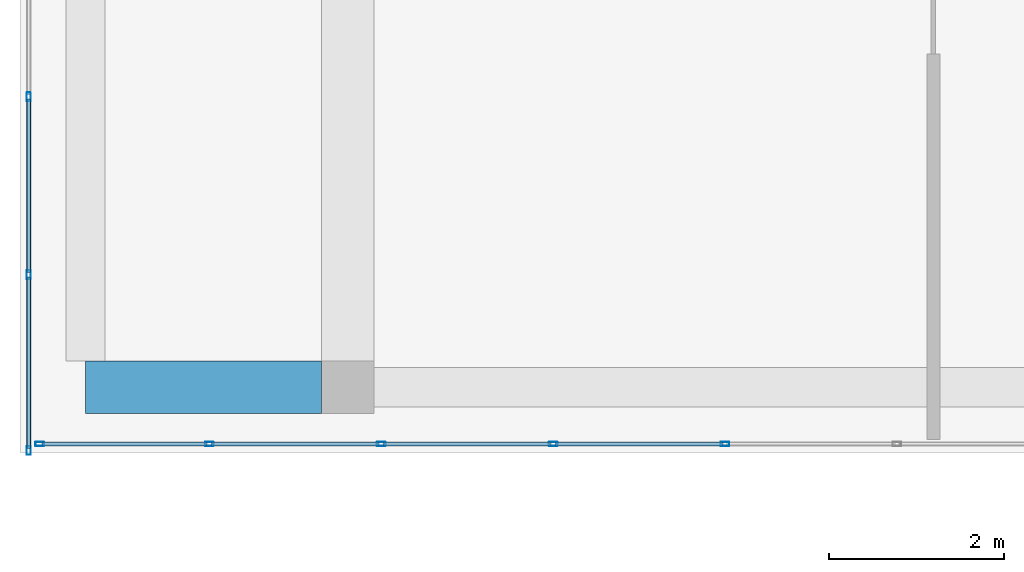
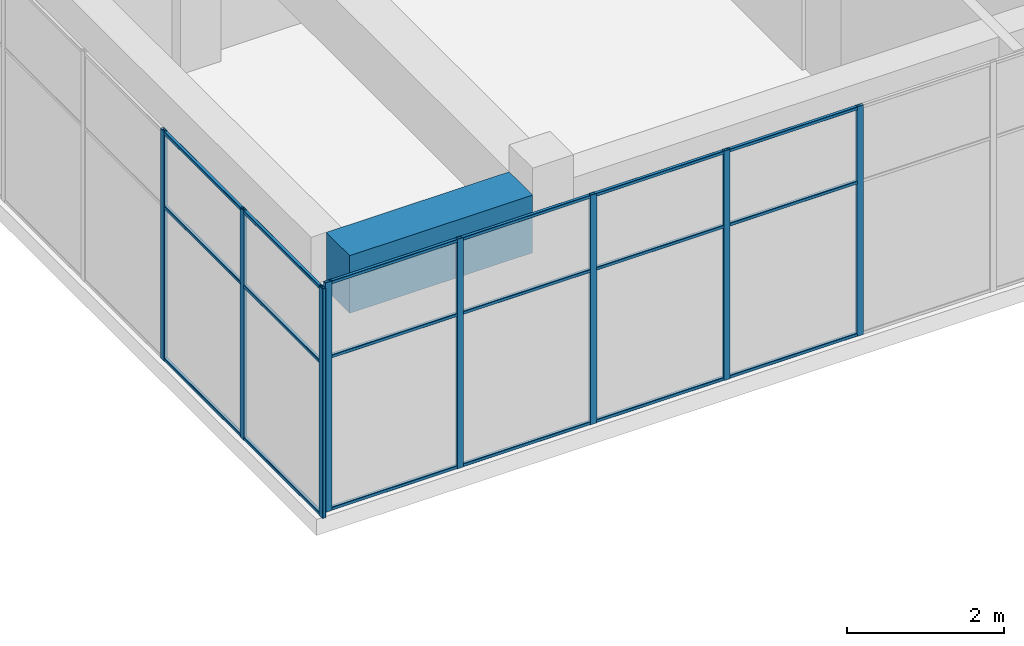
# One storey, part 3 of 35: 26 members, 1 beam, 2 elements without a shape of their own.
"""IFC4 building model written with IfcOpenShell, lengths in metres."""

from ifc_helpers import new_model, si_unit, direction, frame, origin, origin_2d, place, context, subcontext, project, spatial, rectangle, hollow_rectangle, extrude, material, layer, layer_set, material_profile, profile_set, type_object, element, aggregate, save


model = new_model("IFC4")

# Units and contexts
model_context = context("Model", 3, precision=1e-05, world=origin(), true_north=direction((0.0, 1.0)))
body_context = subcontext(model_context, "Body", "Model", "MODEL_VIEW")
ifc_project = project(units=[si_unit("LENGTHUNIT", "METRE"), si_unit("AREAUNIT", "SQUARE_METRE"), si_unit("VOLUMEUNIT", "CUBIC_METRE"), si_unit("PLANEANGLEUNIT", "RADIAN"), si_unit("MASSUNIT", "GRAM", prefix="KILO")], contexts=[model_context])

# Site, building, storey
site_placement = place(None, origin())
site = spatial("IfcSite", under=ifc_project, at=site_placement, CompositionType="ELEMENT")
building_placement = place(site_placement, origin())
building = spatial("IfcBuilding", under=site, at=building_placement, Name="Tuart Plaza Theatre", CompositionType="ELEMENT")
storey_placement = place(building_placement, frame((0.0, 0.0, 49.5)))
storey = spatial("IfcBuildingStorey", under=building, at=storey_placement, Name="L12", CompositionType="ELEMENT", Elevation=49.5)

# Beam
ifc_material_1 = material(Name="Concrete N40 (40 MPa)", Category="concrete")
ifc_material_profile_1 = material_profile(ifc_material_1, rectangle(XDim=0.60009765625, YDim=0.89990234375, at=origin_2d()), Name="BEAM 600x900 Concrete N40 (40 MPa)")
ifc_profile_set_1 = profile_set([ifc_material_profile_1], Name="Concrete N40 (40 MPa)")
beam_type = type_object("IfcBeamType", Name="BEAM 600x900 Concrete N40 (40 MPa)", PredefinedType="BEAM", material=ifc_profile_set_1)
beam_placement = place(storey_placement, frame((111.0, 65.0, 3.1298828125), z_axis=(1.0, 0.0, 0.0), x_axis=(0.0, 1.0, 0.0)))
element("IfcBeam", 1, at=beam_placement, inside=storey, type_object=beam_type, Name="RB283", PredefinedType="BEAM", context=body_context, shape_type="SweptSolid", body=[
    extrude(rectangle(XDim=0.60009765625, YDim=0.89990234375, at=origin_2d()), origin(), (0.0, 0.0, 1.0), 2.699951171875),
])

# Curtain wall, members
ifc_material_2 = material(Name="Aluminium and glass", Category="aluminium")
ifc_layer = layer(ifc_material_2, 0.10009765625)
ifc_layer_set = layer_set([ifc_layer], Name="CURTAIN WALL 2000 module")
curtain_wall_type = type_object("IfcCurtainWallType", Name="CURTAIN WALL 2000 module", PredefinedType="NOTDEFINED", material=ifc_layer_set)
curtain_wall_1_placement = place(storey_placement, origin())
curtain_wall_1 = element("IfcCurtainWall", 2, at=curtain_wall_1_placement, inside=storey, type_object=curtain_wall_type, Name="CW106", PredefinedType="NOTDEFINED")
ifc_material_3 = material(Name="Aluminium 6063-T5", Category="aluminium")
ifc_material_profile_2 = material_profile(ifc_material_3, hollow_rectangle(XDim=0.050048828125, YDim=0.10009765625, WallThickness=0.00390625, InnerFilletRadius=0.00390625, OuterFilletRadius=0.008056640625, at=origin_2d()), Name="RHS 100x50x4")
ifc_profile_set_2 = profile_set([ifc_material_profile_2], Name="Aluminium 6063-T5")
member_type_1 = type_object("IfcMemberType", Name="MULLION RHS 100x50x4", PredefinedType="MULLION", material=ifc_profile_set_2)
member_1_placement = place(storey_placement, frame((110.35009765625, 68.321533203125, 0.0), z_axis=(0.0, 0.0, 1.0), x_axis=(1.0, 0.0, 0.0)))
member_1 = element("IfcMember", 3, at=member_1_placement, type_object=member_type_1, Name="CW106 mullion 13", PredefinedType="MULLION", context=body_context, shape_type="SweptSolid", body=[
    extrude(hollow_rectangle(XDim=0.050048828125, YDim=0.10009765625, WallThickness=0.00390625, InnerFilletRadius=0.00390625, OuterFilletRadius=0.008056640625, at=origin_2d()), origin(), (0.0, 0.0, 1.0), 3.580078125),
])
member_2_placement = place(storey_placement, frame((110.35009765625, 66.28564453125, 0.0), z_axis=(0.0, 0.0, 1.0), x_axis=(1.0, 0.0, 0.0)))
member_2 = element("IfcMember", 4, at=member_2_placement, type_object=member_type_1, Name="CW106 mullion 14", PredefinedType="MULLION", context=body_context, shape_type="SweptSolid", body=[
    extrude(hollow_rectangle(XDim=0.050048828125, YDim=0.10009765625, WallThickness=0.00390625, InnerFilletRadius=0.00390625, OuterFilletRadius=0.008056640625, at=origin_2d()), origin(), (0.0, 0.0, 1.0), 3.580078125),
])
member_3_placement = place(storey_placement, frame((110.35009765625, 64.27490234375, 0.0), z_axis=(0.0, 0.0, 1.0), x_axis=(1.0, 0.0, 0.0)))
member_3 = element("IfcMember", 5, at=member_3_placement, type_object=member_type_1, Name="CW106 mullion 15", PredefinedType="MULLION", context=body_context, shape_type="SweptSolid", body=[
    extrude(hollow_rectangle(XDim=0.050048828125, YDim=0.10009765625, WallThickness=0.00390625, InnerFilletRadius=0.00390625, OuterFilletRadius=0.008056640625, at=origin_2d()), origin(), (0.0, 0.0, 1.0), 3.580078125),
])

curtain_wall_2_placement = place(storey_placement, origin())
curtain_wall_2 = element("IfcCurtainWall", 6, at=curtain_wall_2_placement, inside=storey, type_object=curtain_wall_type, Name="CW108", PredefinedType="NOTDEFINED")
member_4_placement = place(storey_placement, frame((110.47509765625, 64.35009765625, 0.0), z_axis=(0.0, 0.0, 1.0), x_axis=(0.0, 1.0, 0.0)))
member_4 = element("IfcMember", 7, at=member_4_placement, type_object=member_type_1, Name="CW108 mullion 1", PredefinedType="MULLION", context=body_context, shape_type="SweptSolid", body=[
    extrude(hollow_rectangle(XDim=0.050048828125, YDim=0.10009765625, WallThickness=0.00390625, InnerFilletRadius=0.00390625, OuterFilletRadius=0.008056640625, at=origin_2d()), origin(), (0.0, 0.0, 1.0), 3.580078125),
])
member_5_placement = place(storey_placement, frame((112.416748046875, 64.35009765625, 0.0), z_axis=(0.0, 0.0, 1.0), x_axis=(0.0, 1.0, 0.0)))
member_5 = element("IfcMember", 8, at=member_5_placement, type_object=member_type_1, Name="CW108 mullion 2", PredefinedType="MULLION", context=body_context, shape_type="SweptSolid", body=[
    extrude(hollow_rectangle(XDim=0.050048828125, YDim=0.10009765625, WallThickness=0.00390625, InnerFilletRadius=0.00390625, OuterFilletRadius=0.008056640625, at=origin_2d()), origin(), (0.0, 0.0, 1.0), 3.580078125),
])
member_6_placement = place(storey_placement, frame((114.38330078125, 64.35009765625, 0.0), z_axis=(0.0, 0.0, 1.0), x_axis=(0.0, 1.0, 0.0)))
member_6 = element("IfcMember", 9, at=member_6_placement, type_object=member_type_1, Name="CW108 mullion 3", PredefinedType="MULLION", context=body_context, shape_type="SweptSolid", body=[
    extrude(hollow_rectangle(XDim=0.050048828125, YDim=0.10009765625, WallThickness=0.00390625, InnerFilletRadius=0.00390625, OuterFilletRadius=0.008056640625, at=origin_2d()), origin(), (0.0, 0.0, 1.0), 3.580078125),
])
member_7_placement = place(storey_placement, frame((116.35009765625, 64.35009765625, 0.0), z_axis=(0.0, 0.0, 1.0), x_axis=(0.0, 1.0, 0.0)))
member_7 = element("IfcMember", 10, at=member_7_placement, type_object=member_type_1, Name="CW108 mullion 4", PredefinedType="MULLION", context=body_context, shape_type="SweptSolid", body=[
    extrude(hollow_rectangle(XDim=0.050048828125, YDim=0.10009765625, WallThickness=0.00390625, InnerFilletRadius=0.00390625, OuterFilletRadius=0.008056640625, at=origin_2d()), origin(), (0.0, 0.0, 1.0), 3.580078125),
])
member_8_placement = place(storey_placement, frame((118.316650390625, 64.35009765625, 0.0), z_axis=(0.0, 0.0, 1.0), x_axis=(0.0, 1.0, 0.0)))
member_8 = element("IfcMember", 11, at=member_8_placement, type_object=member_type_1, Name="CW108 mullion 5", PredefinedType="MULLION", context=body_context, shape_type="SweptSolid", body=[
    extrude(hollow_rectangle(XDim=0.050048828125, YDim=0.10009765625, WallThickness=0.00390625, InnerFilletRadius=0.00390625, OuterFilletRadius=0.008056640625, at=origin_2d()), origin(), (0.0, 0.0, 1.0), 3.580078125),
])

# Member
ifc_material_4 = material(Name="Aluminium 6063-T5", Category="aluminium")
ifc_material_profile_3 = material_profile(ifc_material_4, hollow_rectangle(XDim=0.050048828125, YDim=0.050048828125, WallThickness=0.00390625, InnerFilletRadius=0.00390625, OuterFilletRadius=0.008056640625, at=origin_2d()), Name="RHS 50x50x4")
ifc_profile_set_3 = profile_set([ifc_material_profile_3], Name="Aluminium 6063-T5")
member_type_2 = type_object("IfcMemberType", Name="TRANSOM RHS 50x50x4", PredefinedType="USERDEFINED", material=ifc_profile_set_3)
member_9_placement = place(storey_placement, frame((110.35009765625, 68.29638671875, 0.02490234375), z_axis=(0.0, -1.0, 0.0), x_axis=(1.0, 0.0, 0.0)))
member_9 = element("IfcMember", 12, at=member_9_placement, type_object=member_type_2, Name="CW106 transom 13.1", ObjectType="TRANSOM", PredefinedType="USERDEFINED", context=body_context, shape_type="SweptSolid", body=[
    extrude(hollow_rectangle(XDim=0.050048828125, YDim=0.050048828125, WallThickness=0.00390625, InnerFilletRadius=0.00390625, OuterFilletRadius=0.008056640625, at=origin_2d()), origin(), (0.0, 0.0, 1.0), 1.985595703125),
])

member_10_placement = place(storey_placement, frame((110.35009765625, 68.29638671875, 2.39990234375), z_axis=(0.0, -1.0, 0.0), x_axis=(1.0, 0.0, 0.0)))
member_10 = element("IfcMember", 13, at=member_10_placement, type_object=member_type_2, Name="CW106 transom 13.2", ObjectType="TRANSOM", PredefinedType="USERDEFINED", context=body_context, shape_type="SweptSolid", body=[
    extrude(hollow_rectangle(XDim=0.050048828125, YDim=0.050048828125, WallThickness=0.00390625, InnerFilletRadius=0.00390625, OuterFilletRadius=0.008056640625, at=origin_2d()), origin(), (0.0, 0.0, 1.0), 1.985595703125),
])

member_11_placement = place(storey_placement, frame((110.35009765625, 68.29638671875, 3.554931640625), z_axis=(0.0, -1.0, 0.0), x_axis=(1.0, 0.0, 0.0)))
member_11 = element("IfcMember", 14, at=member_11_placement, type_object=member_type_2, Name="CW106 transom 13.3", ObjectType="TRANSOM", PredefinedType="USERDEFINED", context=body_context, shape_type="SweptSolid", body=[
    extrude(hollow_rectangle(XDim=0.050048828125, YDim=0.050048828125, WallThickness=0.00390625, InnerFilletRadius=0.00390625, OuterFilletRadius=0.008056640625, at=origin_2d()), origin(), (0.0, 0.0, 1.0), 1.985595703125),
])

member_12_placement = place(storey_placement, frame((110.35009765625, 66.2607421875, 0.02490234375), z_axis=(0.0, -1.0, 0.0), x_axis=(1.0, 0.0, 0.0)))
member_12 = element("IfcMember", 15, at=member_12_placement, type_object=member_type_2, Name="CW106 transom 14.1", ObjectType="TRANSOM", PredefinedType="USERDEFINED", context=body_context, shape_type="SweptSolid", body=[
    extrude(hollow_rectangle(XDim=0.050048828125, YDim=0.050048828125, WallThickness=0.00390625, InnerFilletRadius=0.00390625, OuterFilletRadius=0.008056640625, at=origin_2d()), origin(), (0.0, 0.0, 1.0), 1.960693359375),
])

member_13_placement = place(storey_placement, frame((110.35009765625, 66.2607421875, 2.39990234375), z_axis=(0.0, -1.0, 0.0), x_axis=(1.0, 0.0, 0.0)))
member_13 = element("IfcMember", 16, at=member_13_placement, type_object=member_type_2, Name="CW106 transom 14.2", ObjectType="TRANSOM", PredefinedType="USERDEFINED", context=body_context, shape_type="SweptSolid", body=[
    extrude(hollow_rectangle(XDim=0.050048828125, YDim=0.050048828125, WallThickness=0.00390625, InnerFilletRadius=0.00390625, OuterFilletRadius=0.008056640625, at=origin_2d()), origin(), (0.0, 0.0, 1.0), 1.960693359375),
])

member_14_placement = place(storey_placement, frame((110.35009765625, 66.2607421875, 3.554931640625), z_axis=(0.0, -1.0, 0.0), x_axis=(1.0, 0.0, 0.0)))
member_14 = element("IfcMember", 17, at=member_14_placement, type_object=member_type_2, Name="CW106 transom 14.3", ObjectType="TRANSOM", PredefinedType="USERDEFINED", context=body_context, shape_type="SweptSolid", body=[
    extrude(hollow_rectangle(XDim=0.050048828125, YDim=0.050048828125, WallThickness=0.00390625, InnerFilletRadius=0.00390625, OuterFilletRadius=0.008056640625, at=origin_2d()), origin(), (0.0, 0.0, 1.0), 1.960693359375),
])

aggregate(curtain_wall_1, [member_1, member_2, member_3, member_9, member_10, member_11, member_12, member_13, member_14])

member_15_placement = place(storey_placement, frame((110.5, 64.35009765625, 0.02490234375), z_axis=(1.0, 0.0, 0.0), x_axis=(0.0, 1.0, 0.0)))
member_15 = element("IfcMember", 18, at=member_15_placement, type_object=member_type_2, Name="CW108 transom 1.1", ObjectType="TRANSOM", PredefinedType="USERDEFINED", context=body_context, shape_type="SweptSolid", body=[
    extrude(hollow_rectangle(XDim=0.050048828125, YDim=0.050048828125, WallThickness=0.00390625, InnerFilletRadius=0.00390625, OuterFilletRadius=0.008056640625, at=origin_2d()), origin(), (0.0, 0.0, 1.0), 1.8916015625),
])

member_16_placement = place(storey_placement, frame((110.5, 64.35009765625, 2.39990234375), z_axis=(1.0, 0.0, 0.0), x_axis=(0.0, 1.0, 0.0)))
member_16 = element("IfcMember", 19, at=member_16_placement, type_object=member_type_2, Name="CW108 transom 1.2", ObjectType="TRANSOM", PredefinedType="USERDEFINED", context=body_context, shape_type="SweptSolid", body=[
    extrude(hollow_rectangle(XDim=0.050048828125, YDim=0.050048828125, WallThickness=0.00390625, InnerFilletRadius=0.00390625, OuterFilletRadius=0.008056640625, at=origin_2d()), origin(), (0.0, 0.0, 1.0), 1.8916015625),
])

member_17_placement = place(storey_placement, frame((110.5, 64.35009765625, 3.554931640625), z_axis=(1.0, 0.0, 0.0), x_axis=(0.0, 1.0, 0.0)))
member_17 = element("IfcMember", 20, at=member_17_placement, type_object=member_type_2, Name="CW108 transom 1.3", ObjectType="TRANSOM", PredefinedType="USERDEFINED", context=body_context, shape_type="SweptSolid", body=[
    extrude(hollow_rectangle(XDim=0.050048828125, YDim=0.050048828125, WallThickness=0.00390625, InnerFilletRadius=0.00390625, OuterFilletRadius=0.008056640625, at=origin_2d()), origin(), (0.0, 0.0, 1.0), 1.8916015625),
])

member_18_placement = place(storey_placement, frame((112.441650390625, 64.35009765625, 0.02490234375), z_axis=(1.0, 0.0, 0.0), x_axis=(0.0, 1.0, 0.0)))
member_18 = element("IfcMember", 21, at=member_18_placement, type_object=member_type_2, Name="CW108 transom 2.1", ObjectType="TRANSOM", PredefinedType="USERDEFINED", context=body_context, shape_type="SweptSolid", body=[
    extrude(hollow_rectangle(XDim=0.050048828125, YDim=0.050048828125, WallThickness=0.00390625, InnerFilletRadius=0.00390625, OuterFilletRadius=0.008056640625, at=origin_2d()), origin(), (0.0, 0.0, 1.0), 1.916748046875),
])

member_19_placement = place(storey_placement, frame((112.441650390625, 64.35009765625, 2.39990234375), z_axis=(1.0, 0.0, 0.0), x_axis=(0.0, 1.0, 0.0)))
member_19 = element("IfcMember", 22, at=member_19_placement, type_object=member_type_2, Name="CW108 transom 2.2", ObjectType="TRANSOM", PredefinedType="USERDEFINED", context=body_context, shape_type="SweptSolid", body=[
    extrude(hollow_rectangle(XDim=0.050048828125, YDim=0.050048828125, WallThickness=0.00390625, InnerFilletRadius=0.00390625, OuterFilletRadius=0.008056640625, at=origin_2d()), origin(), (0.0, 0.0, 1.0), 1.916748046875),
])

member_20_placement = place(storey_placement, frame((112.441650390625, 64.35009765625, 3.554931640625), z_axis=(1.0, 0.0, 0.0), x_axis=(0.0, 1.0, 0.0)))
member_20 = element("IfcMember", 23, at=member_20_placement, type_object=member_type_2, Name="CW108 transom 2.3", ObjectType="TRANSOM", PredefinedType="USERDEFINED", context=body_context, shape_type="SweptSolid", body=[
    extrude(hollow_rectangle(XDim=0.050048828125, YDim=0.050048828125, WallThickness=0.00390625, InnerFilletRadius=0.00390625, OuterFilletRadius=0.008056640625, at=origin_2d()), origin(), (0.0, 0.0, 1.0), 1.916748046875),
])

member_21_placement = place(storey_placement, frame((114.408447265625, 64.35009765625, 0.02490234375), z_axis=(1.0, 0.0, 0.0), x_axis=(0.0, 1.0, 0.0)))
member_21 = element("IfcMember", 24, at=member_21_placement, type_object=member_type_2, Name="CW108 transom 3.1", ObjectType="TRANSOM", PredefinedType="USERDEFINED", context=body_context, shape_type="SweptSolid", body=[
    extrude(hollow_rectangle(XDim=0.050048828125, YDim=0.050048828125, WallThickness=0.00390625, InnerFilletRadius=0.00390625, OuterFilletRadius=0.008056640625, at=origin_2d()), origin(), (0.0, 0.0, 1.0), 1.91650390625),
])

member_22_placement = place(storey_placement, frame((114.408447265625, 64.35009765625, 2.39990234375), z_axis=(1.0, 0.0, 0.0), x_axis=(0.0, 1.0, 0.0)))
member_22 = element("IfcMember", 25, at=member_22_placement, type_object=member_type_2, Name="CW108 transom 3.2", ObjectType="TRANSOM", PredefinedType="USERDEFINED", context=body_context, shape_type="SweptSolid", body=[
    extrude(hollow_rectangle(XDim=0.050048828125, YDim=0.050048828125, WallThickness=0.00390625, InnerFilletRadius=0.00390625, OuterFilletRadius=0.008056640625, at=origin_2d()), origin(), (0.0, 0.0, 1.0), 1.91650390625),
])

member_23_placement = place(storey_placement, frame((114.408447265625, 64.35009765625, 3.554931640625), z_axis=(1.0, 0.0, 0.0), x_axis=(0.0, 1.0, 0.0)))
member_23 = element("IfcMember", 26, at=member_23_placement, type_object=member_type_2, Name="CW108 transom 3.3", ObjectType="TRANSOM", PredefinedType="USERDEFINED", context=body_context, shape_type="SweptSolid", body=[
    extrude(hollow_rectangle(XDim=0.050048828125, YDim=0.050048828125, WallThickness=0.00390625, InnerFilletRadius=0.00390625, OuterFilletRadius=0.008056640625, at=origin_2d()), origin(), (0.0, 0.0, 1.0), 1.91650390625),
])

member_24_placement = place(storey_placement, frame((116.375, 64.35009765625, 0.02490234375), z_axis=(1.0, 0.0, 0.0), x_axis=(0.0, 1.0, 0.0)))
member_24 = element("IfcMember", 27, at=member_24_placement, type_object=member_type_2, Name="CW108 transom 4.1", ObjectType="TRANSOM", PredefinedType="USERDEFINED", context=body_context, shape_type="SweptSolid", body=[
    extrude(hollow_rectangle(XDim=0.050048828125, YDim=0.050048828125, WallThickness=0.00390625, InnerFilletRadius=0.00390625, OuterFilletRadius=0.008056640625, at=origin_2d()), origin(), (0.0, 0.0, 1.0), 1.916748046875),
])

member_25_placement = place(storey_placement, frame((116.375, 64.35009765625, 2.39990234375), z_axis=(1.0, 0.0, 0.0), x_axis=(0.0, 1.0, 0.0)))
member_25 = element("IfcMember", 28, at=member_25_placement, type_object=member_type_2, Name="CW108 transom 4.2", ObjectType="TRANSOM", PredefinedType="USERDEFINED", context=body_context, shape_type="SweptSolid", body=[
    extrude(hollow_rectangle(XDim=0.050048828125, YDim=0.050048828125, WallThickness=0.00390625, InnerFilletRadius=0.00390625, OuterFilletRadius=0.008056640625, at=origin_2d()), origin(), (0.0, 0.0, 1.0), 1.916748046875),
])

member_26_placement = place(storey_placement, frame((116.375, 64.35009765625, 3.554931640625), z_axis=(1.0, 0.0, 0.0), x_axis=(0.0, 1.0, 0.0)))
member_26 = element("IfcMember", 29, at=member_26_placement, type_object=member_type_2, Name="CW108 transom 4.3", ObjectType="TRANSOM", PredefinedType="USERDEFINED", context=body_context, shape_type="SweptSolid", body=[
    extrude(hollow_rectangle(XDim=0.050048828125, YDim=0.050048828125, WallThickness=0.00390625, InnerFilletRadius=0.00390625, OuterFilletRadius=0.008056640625, at=origin_2d()), origin(), (0.0, 0.0, 1.0), 1.916748046875),
])

aggregate(curtain_wall_2, [member_4, member_5, member_6, member_7, member_8, member_15, member_16, member_17, member_18, member_19, member_20, member_21, member_22, member_23, member_24, member_25, member_26])

save(model, "model.ifc")
